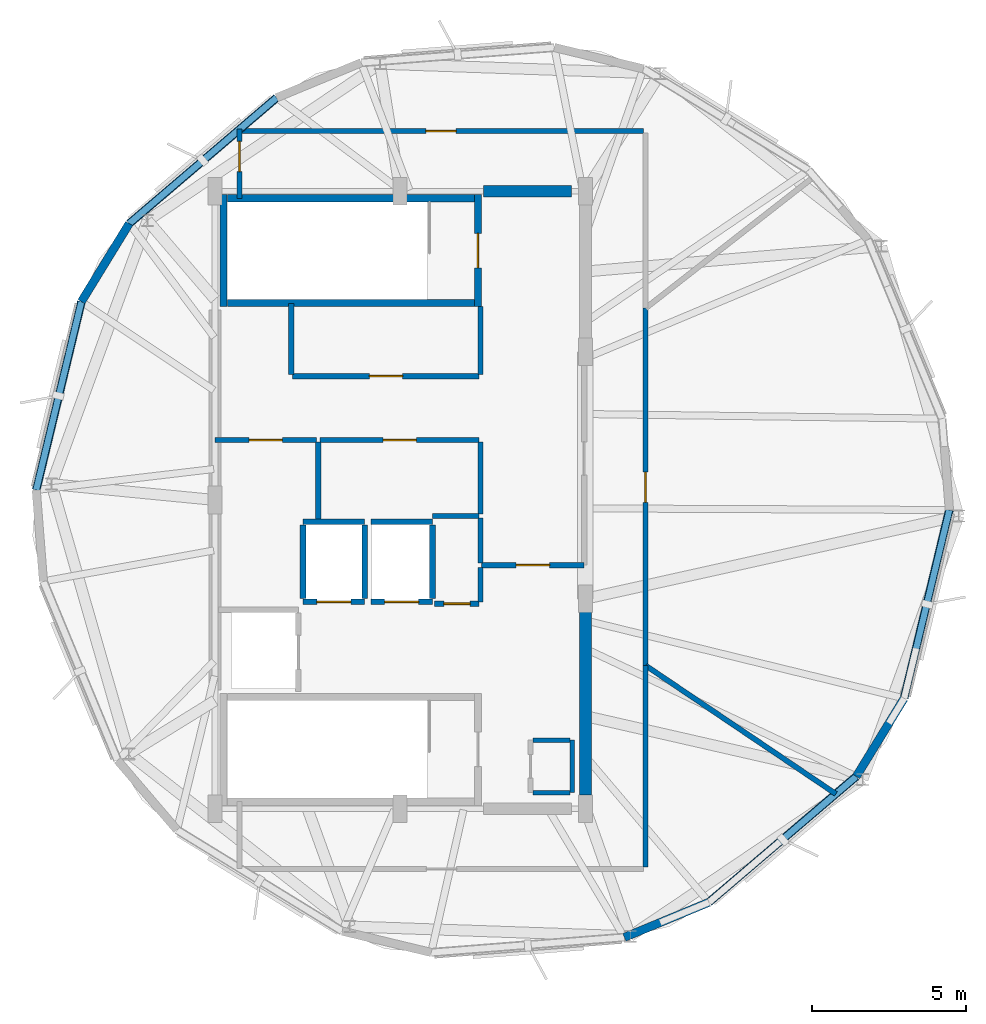
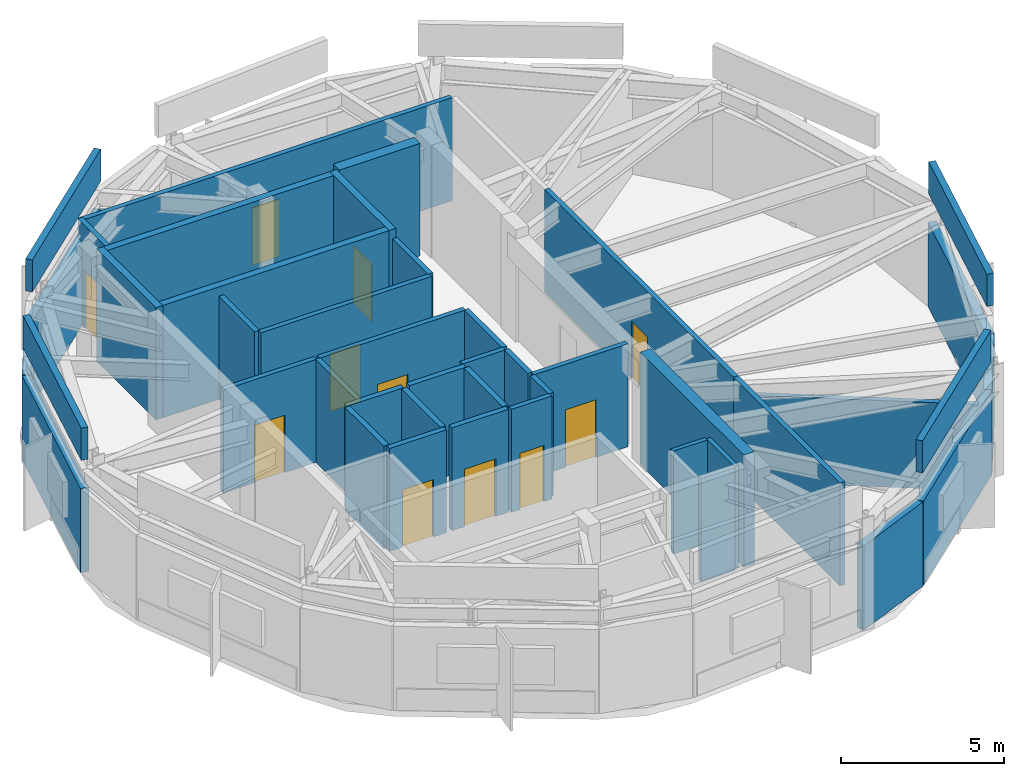
# One storey, part 3 of 5: 44 walls, 11 doors, 11 openings.
"""IFC4 building model written with IfcOpenShell, lengths in metres."""

from ifc_helpers import new_model, si_unit, direction, frame, frame_2d, origin, place, context, subcontext, project, spatial, rectangle, extrude, material, layer, layer_set, type_object, element, fill, save


model = new_model("IFC4")

# Units and contexts
model_context = context("Model", 3, precision=1e-05, world=origin(), true_north=direction((0.0, 1.0)))
body_context = subcontext(model_context, "Body", "Model", "MODEL_VIEW")
ifc_project = project(units=[si_unit("LENGTHUNIT", "METRE"), si_unit("AREAUNIT", "SQUARE_METRE"), si_unit("VOLUMEUNIT", "CUBIC_METRE"), si_unit("PLANEANGLEUNIT", "RADIAN"), si_unit("MASSUNIT", "GRAM", prefix="KILO")], contexts=[model_context])

# Site, building, storey
site_placement = place(None, origin())
site = spatial("IfcSite", under=ifc_project, at=site_placement, CompositionType="ELEMENT")
building_placement = place(site_placement, origin())
building = spatial("IfcBuilding", under=site, at=building_placement, Name="Soratama Intermodal Tower", CompositionType="ELEMENT")
storey_placement = place(building_placement, frame((0.0, 0.0, 318.25)))
storey = spatial("IfcBuildingStorey", under=building, at=storey_placement, Name="L80", CompositionType="ELEMENT", Elevation=318.25)

# Walls
ifc_material_1 = material(Name="Concrete f'c 42 MPa", Category="concrete")
ifc_layer_1 = layer(ifc_material_1, 0.27001953125)
ifc_layer_set_1 = layer_set([ifc_layer_1], Name="Concrete f'c 42 MPa")
wall_type_1 = type_object("IfcWallType", Name="EW-CRN-270", PredefinedType="SOLIDWALL", material=ifc_layer_set_1)
wall_1_placement = place(storey_placement, frame((29.82568359375, 33.954833984375, 0.0), z_axis=(0.0, 0.0, 1.0), x_axis=(-0.522461696512, -0.852662756122, 0.0)))
element("IfcWall", 1, at=wall_1_placement, inside=storey, type_object=wall_type_1, Name="L80 Corner Closure Wall 02", PredefinedType="SOLIDWALL", context=body_context, shape_type="SweptSolid", body=[
    extrude(rectangle(XDim=2.96630859375, YDim=0.27001953125, at=frame_2d((1.483154296875, 0.0))), origin(), (0.0, 0.0, 1.0), 3.14990234375),
])
wall_2_placement = place(storey_placement, frame((34.597412109375, 38.030029296875, 0.0), z_axis=(0.0, 0.0, 1.0), x_axis=(-0.7604253134, -0.649425394284, 0.0)))
element("IfcWall", 2, at=wall_2_placement, inside=storey, type_object=wall_type_1, Name="L80 Plant Wall F02", PredefinedType="SOLIDWALL", context=body_context, shape_type="SweptSolid", body=[
    extrude(rectangle(XDim=6.275146484375, YDim=0.27001953125, at=frame_2d((3.1376953125, 0.0))), origin(), (0.0, 0.0, 1.0), 3.14990234375),
])
wall_3_placement = place(storey_placement, frame((28.27587890625, 31.425537109375, 0.0), z_axis=(0.0, 0.0, 1.0), x_axis=(-0.233480371796, -0.972361515068, 0.0)))
element("IfcWall", 3, at=wall_3_placement, inside=storey, type_object=wall_type_1, Name="L80 Plant Wall F03", PredefinedType="SOLIDWALL", context=body_context, shape_type="SweptSolid", body=[
    extrude(rectangle(XDim=6.27490234375, YDim=0.27001953125, at=frame_2d((3.137451171875, 0.0))), origin(), (0.0, 0.0, 1.0), 3.14990234375),
])
for number, where, z_axis, x_axis, name in (
    (4, (45.862060546875, 10.834716796875, 0.0), (0.0, 0.0, 1.0), (0.923878410862, 0.382686140255, 0.0), "L80 Corner Closure Wall 06"),
    (5, (53.374267578125, 16.045166015625, 0.0), (0.0, 0.0, 1.0), (0.522521529971, 0.852626090802, 0.0), "L80 Corner Closure Wall 07"),
):
    element("IfcWall", number, at=place(storey_placement, frame(where, z_axis=z_axis, x_axis=x_axis)), inside=storey, type_object=wall_type_1, Name=name, PredefinedType="SOLIDWALL", context=body_context, shape_type="SweptSolid", body=[
        extrude(rectangle(XDim=2.966552734375, YDim=0.27001953125, at=frame_2d((1.4833984375, 0.0))), origin(), (0.0, 0.0, 1.0), 3.14990234375),
    ])
for number, where, z_axis, x_axis, name in (
    (6, (48.602783203125, 11.969970703125, 0.0), (0.0, 0.0, 1.0), (0.760408903773, 0.649444608155, 0.0), "L80 Plant Wall F07"),
    (7, (54.92431640625, 18.574462890625, 0.0), (0.0, 0.0, 1.0), (0.23344358532, 0.972370347385, 0.0), "L80 Plant Wall F08"),
):
    element("IfcWall", number, at=place(storey_placement, frame(where, z_axis=z_axis, x_axis=x_axis)), inside=storey, type_object=wall_type_1, Name=name, PredefinedType="SOLIDWALL", context=body_context, shape_type="SweptSolid", body=[
        extrude(rectangle(XDim=6.27490234375, YDim=0.27001953125, at=frame_2d((3.137451171875, 0.0))), origin(), (0.0, 0.0, 1.0), 3.14990234375),
    ])
ifc_material_2 = material(Name="Precast concrete f'c 40 MPa", Category="concrete")
ifc_layer_2 = layer(ifc_material_2, 0.219970703125)
ifc_layer_set_2 = layer_set([ifc_layer_2], Name="Precast concrete f'c 40 MPa")
wall_type_2 = type_object("IfcWallType", Name="EW-PARAPET-220", PredefinedType="PARAPET", material=ifc_layer_set_2)
wall_4_placement = place(storey_placement, frame((34.597412109375, 38.030029296875, 4.199951171875), z_axis=(0.0, 0.0, 1.0), x_axis=(-0.7604253134, -0.649425394284, 0.0)))
element("IfcWall", 8, at=wall_4_placement, inside=storey, type_object=wall_type_2, Name="L80 Crown Parapet 02", PredefinedType="PARAPET", context=body_context, shape_type="SweptSolid", body=[
    extrude(rectangle(XDim=6.275146484375, YDim=0.219970703125, at=frame_2d((3.1376953125, 0.0))), origin(), (0.0, 0.0, 1.0), 1.199951171875),
])
for number, where, z_axis, x_axis, name in (
    (9, (28.27587890625, 31.425537109375, 4.199951171875), (0.0, 0.0, 1.0), (-0.233480371796, -0.972361515068, 0.0), "L80 Crown Parapet 03"),
    (10, (48.602783203125, 11.969970703125, 4.199951171875), (0.0, 0.0, 1.0), (0.760408903773, 0.649444608155, 0.0), "L80 Crown Parapet 07"),
    (11, (54.92431640625, 18.574462890625, 4.199951171875), (0.0, 0.0, 1.0), (0.23344358532, 0.972370347385, 0.0), "L80 Crown Parapet 08"),
):
    element("IfcWall", number, at=place(storey_placement, frame(where, z_axis=z_axis, x_axis=x_axis)), inside=storey, type_object=wall_type_2, Name=name, PredefinedType="PARAPET", context=body_context, shape_type="SweptSolid", body=[
        extrude(rectangle(XDim=6.27490234375, YDim=0.219970703125, at=frame_2d((3.137451171875, 0.0))), origin(), (0.0, 0.0, 1.0), 1.199951171875),
    ])
ifc_material_3 = material(Name="Fire-rated gypsum stud partition", Category="concrete")
ifc_layer_3 = layer(ifc_material_3, 0.14990234375)
ifc_layer_set_3 = layer_set([ifc_layer_3], Name="Fire-rated gypsum stud partition")
wall_type_3 = type_object("IfcWallType", Name="IW-PART-R150", PredefinedType="PARTITIONING", material=ifc_layer_set_3)
for number, where, z_axis, x_axis, name in (
    (12, (42.89990234375, 15.52001953125, 0.0), (0.0, 0.0, 1.0), (1.0, 0.0, 0.0), "L80 Riser Wall S"),
    (13, (42.89990234375, 17.219970703125, 0.0), (0.0, 0.0, 1.0), (1.0, 0.0, 0.0), "L80 Riser Wall N"),
):
    element("IfcWall", number, at=place(storey_placement, frame(where, z_axis=z_axis, x_axis=x_axis)), inside=storey, type_object=wall_type_3, Name=name, PredefinedType="PARTITIONING", context=body_context, shape_type="SweptSolid", body=[
        extrude(rectangle(XDim=1.2001953125, YDim=0.14990234375, at=frame_2d((0.60009765625, 0.0))), origin(), (0.0, 0.0, 1.0), 3.85009765625),
    ])
wall_5_placement = place(storey_placement, frame((44.179931640625, 15.52001953125, 0.0), z_axis=(0.0, 0.0, 1.0), x_axis=(0.0, 1.0, 0.0)))
element("IfcWall", 14, at=wall_5_placement, inside=storey, type_object=wall_type_3, Name="L80 Riser Wall E", PredefinedType="PARTITIONING", context=body_context, shape_type="SweptSolid", body=[
    extrude(rectangle(XDim=1.699951171875, YDim=0.14990234375, at=frame_2d((0.85009765625, 0.0))), origin(), (0.0, 0.0, 1.0), 3.85009765625),
])

# Wall, opening, door
ifc_material_4 = material(Name="Fire-rated gypsum stud partition", Category="concrete")
ifc_layer_4 = layer(ifc_material_4, 0.169921875)
ifc_layer_set_4 = layer_set([ifc_layer_4], Name="Fire-rated gypsum stud partition")
wall_type_4 = type_object("IfcWallType", Name="IW-PART-R170", PredefinedType="PARTITIONING", material=ifc_layer_set_4)
wall_6_placement = place(storey_placement, frame((33.3330078125, 36.949951171875, 0.0), z_axis=(0.0, 0.0, 1.0), x_axis=(1.0, 0.0, 0.0)))
wall_6 = element("IfcWall", 15, at=wall_6_placement, inside=storey, type_object=wall_type_4, Name="L80 Partition W-L80-TP001", PredefinedType="PARTITIONING", context=body_context, shape_type="SweptSolid", body=[
    extrude(rectangle(XDim=13.14697265625, YDim=0.169921875, at=frame_2d((6.573486328125, 0.0))), origin(), (0.0, 0.0, 1.0), 3.85009765625),
])
opening_1_placement = place(wall_6_placement, frame((6.097900390625, 0.0, 0.0)))
opening_1 = element("IfcOpeningElement", 16, at=opening_1_placement, cuts=wall_6, Name="Opening ID-5", PredefinedType="OPENING", context=body_context, shape_type="SweptSolid", body=[
    extrude(rectangle(XDim=0.97998046875, YDim=2.14990234375, at=frame_2d((0.489990234375, 1.074951171875))), frame((0.0, 0.094970703125, 0.0), z_axis=(0.0, -1.0, 0.0), x_axis=(1.0, 0.0, 0.0)), (0.0, 0.0, 1.0), 0.18994140625),
])
ifc_material_5 = material(Name="Solid hardwood acoustic door", Category="wood")
door_type_1 = type_object("IfcDoorType", Name="DR-OFF-980", OperationType="NOTDEFINED", PredefinedType="DOOR", material=ifc_material_5)
door_1_placement = place(opening_1_placement, origin())
door_1 = element("IfcDoor", 17, at=door_1_placement, inside=storey, type_object=door_type_1, Name="L80 Door D-L80-TP001", OperationType="SINGLE_SWING_RIGHT", OverallHeight=2.14990234375, OverallWidth=0.97998046875, PredefinedType="DOOR", context=body_context, shape_type="SweptSolid", body=[
    extrude(rectangle(XDim=0.97998046875, YDim=2.14990234375, at=frame_2d((0.489990234375, 1.074951171875))), frame((0.0, 0.02490234375, 0.0), z_axis=(0.0, -1.0, 0.0), x_axis=(1.0, 0.0, 0.0)), (0.0, 0.0, 1.0), 0.050048828125),
])
fill(opening_1, door_1)

wall_7_placement = place(storey_placement, frame((46.550048828125, 31.2119140625, 0.0), z_axis=(0.0, 0.0, 1.0), x_axis=(0.0, -1.0, 0.0)))
wall_7 = element("IfcWall", 18, at=wall_7_placement, inside=storey, type_object=wall_type_4, Name="L80 Partition W-L80-TP003", PredefinedType="PARTITIONING", context=body_context, shape_type="SweptSolid", body=[
    extrude(rectangle(XDim=11.573974609375, YDim=0.169921875, at=frame_2d((5.787109375, 0.0))), origin(), (0.0, 0.0, 1.0), 3.85009765625),
])
opening_2_placement = place(wall_7_placement, frame((5.31201171875, 0.0, 0.0)))
opening_2 = element("IfcOpeningElement", 19, at=opening_2_placement, cuts=wall_7, Name="Opening ID-5", PredefinedType="OPENING", context=body_context, shape_type="SweptSolid", body=[
    extrude(rectangle(XDim=0.97998046875, YDim=2.14990234375, at=frame_2d((0.489990234375, 1.074951171875))), frame((0.0, 0.094970703125, 0.0), z_axis=(0.0, -1.0, 0.0), x_axis=(1.0, 0.0, 0.0)), (0.0, 0.0, 1.0), 0.18994140625),
])
door_2_placement = place(opening_2_placement, origin())
door_2 = element("IfcDoor", 20, at=door_2_placement, inside=storey, type_object=door_type_1, Name="L80 Door D-L80-TP003", OperationType="SINGLE_SWING_RIGHT", OverallHeight=2.14990234375, OverallWidth=0.97998046875, PredefinedType="DOOR", context=body_context, shape_type="SweptSolid", body=[
    extrude(rectangle(XDim=0.97998046875, YDim=2.14990234375, at=frame_2d((0.489990234375, 1.074951171875))), frame((0.0, 0.02490234375, 0.0), z_axis=(0.0, -1.0, 0.0), x_axis=(1.0, 0.0, 0.0)), (0.0, 0.0, 1.0), 0.050048828125),
])
fill(opening_2, door_2)

# Walls
wall_8_placement = place(storey_placement, frame((52.712890625, 15.47998046875, 0.0), z_axis=(0.0, 0.0, 1.0), x_axis=(-0.828970861731, 0.559291793612, 0.0)))
element("IfcWall", 21, at=wall_8_placement, inside=storey, type_object=wall_type_4, Name="L80 Partition W-L80-TP004", PredefinedType="PARTITIONING", context=body_context, shape_type="SweptSolid", body=[
    extrude(rectangle(XDim=7.434326171875, YDim=0.169921875, at=frame_2d((3.71728515625, 0.0))), origin(), (0.0, 0.0, 1.0), 3.22802734375),
])
wall_9_placement = place(storey_placement, frame((46.550048828125, 19.637939453125, 0.0), z_axis=(0.0, 0.0, 1.0), x_axis=(0.0, -1.0, 0.0)))
element("IfcWall", 22, at=wall_9_placement, inside=storey, type_object=wall_type_4, Name="L80 Partition W-L80-TP007", PredefinedType="PARTITIONING", context=body_context, shape_type="SweptSolid", body=[
    extrude(rectangle(XDim=6.517822265625, YDim=0.169921875, at=frame_2d((3.2587890625, 0.0))), origin(), (0.0, 0.0, 1.0), 3.85009765625),
])

# Wall, opening, door
wall_10_placement = place(storey_placement, frame((35.1201171875, 29.010009765625, 0.0), z_axis=(0.0, 0.0, 1.0), x_axis=(1.0, 0.0, 0.0)))
wall_10 = element("IfcWall", 23, at=wall_10_placement, inside=storey, type_object=wall_type_4, Name="L80 Partition W-L80-TP008", PredefinedType="PARTITIONING", context=body_context, shape_type="SweptSolid", body=[
    extrude(rectangle(XDim=6.039794921875, YDim=0.169921875, at=frame_2d((3.02001953125, 0.0))), origin(), (0.0, 0.0, 1.0), 3.85009765625),
])
opening_3_placement = place(wall_10_placement, frame((2.47998046875, 0.0, 0.0)))
opening_3 = element("IfcOpeningElement", 24, at=opening_3_placement, cuts=wall_10, Name="Opening ID-1", PredefinedType="OPENING", context=body_context, shape_type="SweptSolid", body=[
    extrude(rectangle(XDim=1.080078125, YDim=2.14990234375, at=frame_2d((0.5400390625, 1.074951171875))), frame((0.0, 0.094970703125, 0.0), z_axis=(0.0, -1.0, 0.0), x_axis=(1.0, 0.0, 0.0)), (0.0, 0.0, 1.0), 0.18994140625),
])
ifc_material_6 = material(Name="Solid hardwood acoustic door", Category="wood")
door_type_2 = type_object("IfcDoorType", Name="DR-LOB-FD60", OperationType="NOTDEFINED", PredefinedType="DOOR", material=ifc_material_6)
door_3_placement = place(opening_3_placement, origin())
door_3 = element("IfcDoor", 25, at=door_3_placement, inside=storey, type_object=door_type_2, Name="L80 Door D-L80-TP005", OperationType="SINGLE_SWING_RIGHT", OverallHeight=2.14990234375, OverallWidth=1.080078125, PredefinedType="DOOR", context=body_context, shape_type="SweptSolid", body=[
    extrude(rectangle(XDim=1.080078125, YDim=2.14990234375, at=frame_2d((0.5400390625, 1.074951171875))), frame((0.0, 0.02490234375, 0.0), z_axis=(0.0, -1.0, 0.0), x_axis=(1.0, 0.0, 0.0)), (0.0, 0.0, 1.0), 0.050048828125),
])
fill(opening_3, door_3)

wall_11_placement = place(storey_placement, frame((41.159912109375, 26.93994140625, 0.0), z_axis=(0.0, 0.0, 1.0), x_axis=(-1.0, 0.0, 0.0)))
wall_11 = element("IfcWall", 26, at=wall_11_placement, inside=storey, type_object=wall_type_4, Name="L80 Partition W-L80-TP010", PredefinedType="PARTITIONING", context=body_context, shape_type="SweptSolid", body=[
    extrude(rectangle(XDim=5.14990234375, YDim=0.169921875, at=frame_2d((2.574951171875, 0.0))), origin(), (0.0, 0.0, 1.0), 3.85009765625),
])
opening_4_placement = place(wall_11_placement, frame((2.034912109375, 0.0, 0.0)))
opening_4 = element("IfcOpeningElement", 27, at=opening_4_placement, cuts=wall_11, Name="Opening ID-1", PredefinedType="OPENING", context=body_context, shape_type="SweptSolid", body=[
    extrude(rectangle(XDim=1.080078125, YDim=2.14990234375, at=frame_2d((0.5400390625, 1.074951171875))), frame((0.0, 0.094970703125, 0.0), z_axis=(0.0, -1.0, 0.0), x_axis=(1.0, 0.0, 0.0)), (0.0, 0.0, 1.0), 0.18994140625),
])
door_4_placement = place(opening_4_placement, origin())
door_4 = element("IfcDoor", 28, at=door_4_placement, inside=storey, type_object=door_type_2, Name="L80 Door D-L80-TP006", OperationType="SINGLE_SWING_LEFT", OverallHeight=2.14990234375, OverallWidth=1.080078125, PredefinedType="DOOR", context=body_context, shape_type="SweptSolid", body=[
    extrude(rectangle(XDim=1.080078125, YDim=2.14990234375, at=frame_2d((0.5400390625, 1.074951171875))), frame((0.0, 0.02490234375, 0.0), z_axis=(0.0, -1.0, 0.0), x_axis=(1.0, 0.0, 0.0)), (0.0, 0.0, 1.0), 0.050048828125),
])
fill(opening_4, door_4)

wall_12_placement = place(storey_placement, frame((41.239990234375, 22.889892578125, 0.0), z_axis=(0.0, 0.0, 1.0), x_axis=(1.0, 0.0, 0.0)))
wall_12 = element("IfcWall", 29, at=wall_12_placement, inside=storey, type_object=wall_type_4, Name="L80 Partition W-L80-TP011", PredefinedType="PARTITIONING", context=body_context, shape_type="SweptSolid", body=[
    extrude(rectangle(XDim=3.320068359375, YDim=0.169921875, at=frame_2d((1.66015625, 0.0))), origin(), (0.0, 0.0, 1.0), 3.85009765625),
])
opening_5_placement = place(wall_12_placement, frame((1.1201171875, 0.0, 0.0)))
opening_5 = element("IfcOpeningElement", 30, at=opening_5_placement, cuts=wall_12, Name="Opening ID-0", PredefinedType="OPENING", context=body_context, shape_type="SweptSolid", body=[
    extrude(rectangle(XDim=1.080078125, YDim=2.14990234375, at=frame_2d((0.5400390625, 1.074951171875))), frame((0.0, 0.094970703125, 0.0), z_axis=(0.0, -1.0, 0.0), x_axis=(1.0, 0.0, 0.0)), (0.0, 0.0, 1.0), 0.18994140625),
])
ifc_material_7 = material(Name="Solid hardwood acoustic door", Category="wood")
door_type_3 = type_object("IfcDoorType", Name="DR-LOB-FD90", OperationType="NOTDEFINED", PredefinedType="DOOR", material=ifc_material_7)
door_5_placement = place(opening_5_placement, origin())
door_5 = element("IfcDoor", 31, at=door_5_placement, inside=storey, type_object=door_type_3, Name="L80 Door D-L80-TP007", OperationType="SINGLE_SWING_RIGHT", OverallHeight=2.14990234375, OverallWidth=1.080078125, PredefinedType="DOOR", context=body_context, shape_type="SweptSolid", body=[
    extrude(rectangle(XDim=1.080078125, YDim=2.14990234375, at=frame_2d((0.5400390625, 1.074951171875))), frame((0.0, 0.02490234375, 0.0), z_axis=(0.0, -1.0, 0.0), x_axis=(1.0, 0.0, 0.0)), (0.0, 0.0, 1.0), 0.050048828125),
])
fill(opening_5, door_5)

wall_13_placement = place(storey_placement, frame((35.889892578125, 26.93994140625, 0.0), z_axis=(0.0, 0.0, 1.0), x_axis=(-1.0, 0.0, 0.0)))
wall_13 = element("IfcWall", 32, at=wall_13_placement, inside=storey, type_object=wall_type_4, Name="L80 Partition W-L80-TP012", PredefinedType="PARTITIONING", context=body_context, shape_type="SweptSolid", body=[
    extrude(rectangle(XDim=3.289794921875, YDim=0.169921875, at=frame_2d((1.64501953125, 0.0))), origin(), (0.0, 0.0, 1.0), 3.85009765625),
])
opening_6_placement = place(wall_13_placement, frame((1.10498046875, 0.0, 0.0)))
opening_6 = element("IfcOpeningElement", 33, at=opening_6_placement, cuts=wall_13, Name="Opening ID-1", PredefinedType="OPENING", context=body_context, shape_type="SweptSolid", body=[
    extrude(rectangle(XDim=1.080078125, YDim=2.14990234375, at=frame_2d((0.5400390625, 1.074951171875))), frame((0.0, 0.094970703125, 0.0), z_axis=(0.0, -1.0, 0.0), x_axis=(1.0, 0.0, 0.0)), (0.0, 0.0, 1.0), 0.18994140625),
])
door_6_placement = place(opening_6_placement, origin())
door_6 = element("IfcDoor", 34, at=door_6_placement, inside=storey, type_object=door_type_2, Name="L80 Door D-L80-TP008", OperationType="SINGLE_SWING_LEFT", OverallHeight=2.14990234375, OverallWidth=1.080078125, PredefinedType="DOOR", context=body_context, shape_type="SweptSolid", body=[
    extrude(rectangle(XDim=1.080078125, YDim=2.14990234375, at=frame_2d((0.5400390625, 1.074951171875))), frame((0.0, 0.02490234375, 0.0), z_axis=(0.0, -1.0, 0.0), x_axis=(1.0, 0.0, 0.0)), (0.0, 0.0, 1.0), 0.050048828125),
])
fill(opening_6, door_6)

# Walls
wall_14_placement = place(storey_placement, frame((35.949951171875, 26.8798828125, 0.0), z_axis=(0.0, 0.0, 1.0), x_axis=(0.0, -1.0, 0.0)))
element("IfcWall", 35, at=wall_14_placement, inside=storey, type_object=wall_type_4, Name="L80 Partition W-L80-TP013", PredefinedType="PARTITIONING", context=body_context, shape_type="SweptSolid", body=[
    extrude(rectangle(XDim=2.579833984375, YDim=0.169921875, at=frame_2d((1.2900390625, 0.0))), origin(), (0.0, 0.0, 1.0), 3.85009765625),
])
wall_15_placement = place(storey_placement, frame((41.199951171875, 24.550048828125, 0.0), z_axis=(0.0, 0.0, 1.0), x_axis=(0.0, 1.0, 0.0)))
element("IfcWall", 36, at=wall_15_placement, inside=storey, type_object=wall_type_4, Name="L80 Partition W-L80-TP014", PredefinedType="PARTITIONING", context=body_context, shape_type="SweptSolid", body=[
    extrude(rectangle(XDim=2.329833984375, YDim=0.169921875, at=frame_2d((1.1650390625, 0.0))), origin(), (0.0, 0.0, 1.0), 3.85009765625),
])
wall_16_placement = place(storey_placement, frame((35.070068359375, 31.360107421875, 0.0), z_axis=(0.0, 0.0, 1.0), x_axis=(0.0, -1.0, 0.0)))
element("IfcWall", 37, at=wall_16_placement, inside=storey, type_object=wall_type_4, Name="L80 Partition W-L80-TP015", PredefinedType="PARTITIONING", context=body_context, shape_type="SweptSolid", body=[
    extrude(rectangle(XDim=2.2900390625, YDim=0.169921875, at=frame_2d((1.14501953125, 0.0))), origin(), (0.0, 0.0, 1.0), 3.85009765625),
])

# Wall, opening, door
wall_17_placement = place(storey_placement, frame((33.39990234375, 34.77001953125, 0.0), z_axis=(0.0, 0.0, 1.0), x_axis=(0.0, 1.0, 0.0)))
wall_17 = element("IfcWall", 38, at=wall_17_placement, inside=storey, type_object=wall_type_4, Name="L80 Partition W-L80-TP016", PredefinedType="PARTITIONING", context=body_context, shape_type="SweptSolid", body=[
    extrude(rectangle(XDim=2.238037109375, YDim=0.169921875, at=frame_2d((1.119140625, 0.0))), origin(), (0.0, 0.0, 1.0), 3.85009765625),
])
opening_7_placement = place(wall_17_placement, frame((0.867919921875, 0.0, 0.0)))
opening_7 = element("IfcOpeningElement", 39, at=opening_7_placement, cuts=wall_17, Name="Opening ID-5", PredefinedType="OPENING", context=body_context, shape_type="SweptSolid", body=[
    extrude(rectangle(XDim=0.97998046875, YDim=2.14990234375, at=frame_2d((0.489990234375, 1.074951171875))), frame((0.0, 0.094970703125, 0.0), z_axis=(0.0, -1.0, 0.0), x_axis=(1.0, 0.0, 0.0)), (0.0, 0.0, 1.0), 0.18994140625),
])
door_7_placement = place(opening_7_placement, origin())
door_7 = element("IfcDoor", 40, at=door_7_placement, inside=storey, type_object=door_type_1, Name="L80 Door D-L80-TP009", OperationType="SINGLE_SWING_RIGHT", OverallHeight=2.14990234375, OverallWidth=0.97998046875, PredefinedType="DOOR", context=body_context, shape_type="SweptSolid", body=[
    extrude(rectangle(XDim=0.97998046875, YDim=2.14990234375, at=frame_2d((0.489990234375, 1.074951171875))), frame((0.0, 0.02490234375, 0.0), z_axis=(0.0, -1.0, 0.0), x_axis=(1.0, 0.0, 0.0)), (0.0, 0.0, 1.0), 0.050048828125),
])
fill(opening_7, door_7)

# Walls
wall_18_placement = place(storey_placement, frame((41.199951171875, 29.070068359375, 0.0), z_axis=(0.0, 0.0, 1.0), x_axis=(0.0, 1.0, 0.0)))
element("IfcWall", 41, at=wall_18_placement, inside=storey, type_object=wall_type_4, Name="L80 Partition W-L80-TP017", PredefinedType="PARTITIONING", context=body_context, shape_type="SweptSolid", body=[
    extrude(rectangle(XDim=2.18994140625, YDim=0.169921875, at=frame_2d((1.094970703125, 0.0))), origin(), (0.0, 0.0, 1.0), 3.85009765625),
])
wall_19_placement = place(storey_placement, frame((39.64990234375, 24.485107421875, 0.0), z_axis=(0.0, 0.0, 1.0), x_axis=(1.0, 0.0, 0.0)))
element("IfcWall", 42, at=wall_19_placement, inside=storey, type_object=wall_type_4, Name="L80 Partition W-L80-TP019", PredefinedType="PARTITIONING", context=body_context, shape_type="SweptSolid", body=[
    extrude(rectangle(XDim=1.510009765625, YDim=0.169921875, at=frame_2d((0.7548828125, 0.0))), origin(), (0.0, 0.0, 1.0), 3.85009765625),
])
wall_20_placement = place(storey_placement, frame((41.199951171875, 22.9599609375, 0.0), z_axis=(0.0, 0.0, 1.0), x_axis=(0.0, 1.0, 0.0)))
element("IfcWall", 43, at=wall_20_placement, inside=storey, type_object=wall_type_4, Name="L80 Partition W-L80-TP020", PredefinedType="PARTITIONING", context=body_context, shape_type="SweptSolid", body=[
    extrude(rectangle(XDim=1.4599609375, YDim=0.169921875, at=frame_2d((0.72998046875, 0.0))), origin(), (0.0, 0.0, 1.0), 3.85009765625),
])

# Wall, opening, door
wall_21_placement = place(storey_placement, frame((39.719970703125, 21.639892578125, 0.0), z_axis=(0.0, 0.0, 1.0), x_axis=(1.0, 0.0, 0.0)))
wall_21 = element("IfcWall", 44, at=wall_21_placement, inside=storey, type_object=wall_type_4, Name="L80 Partition W-L80-TP021", PredefinedType="PARTITIONING", context=body_context, shape_type="SweptSolid", body=[
    extrude(rectangle(XDim=1.43994140625, YDim=0.169921875, at=frame_2d((0.719970703125, 0.0))), origin(), (0.0, 0.0, 1.0), 3.85009765625),
])
opening_8_placement = place(wall_21_placement, frame((0.294921875, 0.0, 0.0)))
opening_8 = element("IfcOpeningElement", 45, at=opening_8_placement, cuts=wall_21, Name="Opening ID-4", PredefinedType="OPENING", context=body_context, shape_type="SweptSolid", body=[
    extrude(rectangle(XDim=0.85009765625, YDim=2.10009765625, at=frame_2d((0.425048828125, 1.050048828125))), frame((0.0, 0.094970703125, 0.0), z_axis=(0.0, -1.0, 0.0), x_axis=(1.0, 0.0, 0.0)), (0.0, 0.0, 1.0), 0.18994140625),
])
ifc_material_8 = material(Name="Solid hardwood acoustic door", Category="wood")
door_type_4 = type_object("IfcDoorType", Name="DR-BATH-850", OperationType="NOTDEFINED", PredefinedType="DOOR", material=ifc_material_8)
door_8_placement = place(opening_8_placement, origin())
door_8 = element("IfcDoor", 46, at=door_8_placement, inside=storey, type_object=door_type_4, Name="L80 Door D-L80-TP010", OperationType="SINGLE_SWING_LEFT", OverallHeight=2.10009765625, OverallWidth=0.85009765625, PredefinedType="DOOR", context=body_context, shape_type="SweptSolid", body=[
    extrude(rectangle(XDim=0.85009765625, YDim=2.10009765625, at=frame_2d((0.425048828125, 1.050048828125))), frame((0.0, 0.02490234375, 0.0), z_axis=(0.0, -1.0, 0.0), x_axis=(1.0, 0.0, 0.0)), (0.0, 0.0, 1.0), 0.050048828125),
])
fill(opening_8, door_8)

# Wall
wall_22_placement = place(storey_placement, frame((41.199951171875, 21.699951171875, 0.0), z_axis=(0.0, 0.0, 1.0), x_axis=(0.0, 1.0, 0.0)))
element("IfcWall", 47, at=wall_22_placement, inside=storey, type_object=wall_type_4, Name="L80 Partition W-L80-TP022", PredefinedType="PARTITIONING", context=body_context, shape_type="SweptSolid", body=[
    extrude(rectangle(XDim=1.1201171875, YDim=0.169921875, at=frame_2d((0.56005859375, 0.0))), origin(), (0.0, 0.0, 1.0), 3.85009765625),
])

# Wall, opening, door
ifc_material_9 = material(Name="Concrete f'c 42 MPa", Category="concrete")
ifc_layer_5 = layer(ifc_material_9, 0.18505859375)
ifc_layer_set_5 = layer_set([ifc_layer_5], Name="Concrete f'c 42 MPa")
wall_type_5 = type_object("IfcWallType", Name="IW-SHAFT-185", PredefinedType="SOLIDWALL", material=ifc_layer_set_5)
wall_23_placement = place(storey_placement, frame((35.449951171875, 21.699951171875, 0.0), z_axis=(0.0, 0.0, 1.0), x_axis=(1.0, 0.0, 0.0)))
wall_23 = element("IfcWall", 48, at=wall_23_placement, inside=storey, type_object=wall_type_5, Name="L80 FFL-1 Hoistway Wall S", PredefinedType="SOLIDWALL", context=body_context, shape_type="SweptSolid", body=[
    extrude(rectangle(XDim=2.0, YDim=0.18505859375, at=frame_2d((1.0, 0.0))), origin(), (0.0, 0.0, 1.0), 3.85009765625),
])
opening_9_placement = place(wall_23_placement, frame((0.449951171875, 0.0, 0.0)))
opening_9 = element("IfcOpeningElement", 49, at=opening_9_placement, cuts=wall_23, Name="Opening LD-1", PredefinedType="OPENING", context=body_context, shape_type="SweptSolid", body=[
    extrude(rectangle(XDim=1.10009765625, YDim=2.14990234375, at=frame_2d((0.550048828125, 1.074951171875))), frame((0.0, 0.1025390625, 0.0), z_axis=(0.0, -1.0, 0.0), x_axis=(1.0, 0.0, 0.0)), (0.0, 0.0, 1.0), 0.205078125),
])
ifc_material_10 = material(Name="Steel fire door", Category="steel")
door_type_5 = type_object("IfcDoorType", Name="DR-LIFT-SLIDE", OperationType="NOTDEFINED", PredefinedType="DOOR", material=ifc_material_10)
door_9_placement = place(opening_9_placement, origin())
door_9 = element("IfcDoor", 50, at=door_9_placement, inside=storey, type_object=door_type_5, Name="L80 FFL-1 Sliding Landing Door", OperationType="SLIDING_TO_LEFT", OverallHeight=2.14990234375, OverallWidth=1.10009765625, PredefinedType="DOOR", context=body_context, shape_type="SweptSolid", body=[
    extrude(rectangle(XDim=1.10009765625, YDim=2.14990234375, at=frame_2d((0.550048828125, 1.074951171875))), frame((0.0, 0.02490234375, 0.0), z_axis=(0.0, -1.0, 0.0), x_axis=(1.0, 0.0, 0.0)), (0.0, 0.0, 1.0), 0.050048828125),
])
fill(opening_9, door_9)

# Walls
wall_24_placement = place(storey_placement, frame((35.449951171875, 24.300048828125, 0.0), z_axis=(0.0, 0.0, 1.0), x_axis=(1.0, 0.0, 0.0)))
element("IfcWall", 51, at=wall_24_placement, inside=storey, type_object=wall_type_5, Name="L80 FFL-1 Hoistway Wall N", PredefinedType="SOLIDWALL", context=body_context, shape_type="SweptSolid", body=[
    extrude(rectangle(XDim=2.0, YDim=0.18505859375, at=frame_2d((1.0, 0.0))), origin(), (0.0, 0.0, 1.0), 3.85009765625),
])
for number, where, z_axis, x_axis, name in (
    (52, (35.449951171875, 21.81005859375, 0.0), (0.0, 0.0, 1.0), (0.0, 1.0, 0.0), "L80 FFL-1 Hoistway Wall W"),
    (53, (37.449951171875, 21.81005859375, 0.0), (0.0, 0.0, 1.0), (0.0, 1.0, 0.0), "L80 FFL-1 Hoistway Wall E"),
):
    element("IfcWall", number, at=place(storey_placement, frame(where, z_axis=z_axis, x_axis=x_axis)), inside=storey, type_object=wall_type_5, Name=name, PredefinedType="SOLIDWALL", context=body_context, shape_type="SweptSolid", body=[
        extrude(rectangle(XDim=2.3798828125, YDim=0.18505859375, at=frame_2d((1.18994140625, 0.0))), origin(), (0.0, 0.0, 1.0), 3.85009765625),
    ])

# Wall, opening, door
wall_25_placement = place(storey_placement, frame((37.64990234375, 21.699951171875, 0.0), z_axis=(0.0, 0.0, 1.0), x_axis=(1.0, 0.0, 0.0)))
wall_25 = element("IfcWall", 54, at=wall_25_placement, inside=storey, type_object=wall_type_5, Name="L80 FFL-2 Hoistway Wall S", PredefinedType="SOLIDWALL", context=body_context, shape_type="SweptSolid", body=[
    extrude(rectangle(XDim=2.0, YDim=0.18505859375, at=frame_2d((1.0, 0.0))), origin(), (0.0, 0.0, 1.0), 3.85009765625),
])
opening_10_placement = place(wall_25_placement, frame((0.449951171875, 0.0, 0.0)))
opening_10 = element("IfcOpeningElement", 55, at=opening_10_placement, cuts=wall_25, Name="Opening LD-1", PredefinedType="OPENING", context=body_context, shape_type="SweptSolid", body=[
    extrude(rectangle(XDim=1.10009765625, YDim=2.14990234375, at=frame_2d((0.550048828125, 1.074951171875))), frame((0.0, 0.1025390625, 0.0), z_axis=(0.0, -1.0, 0.0), x_axis=(1.0, 0.0, 0.0)), (0.0, 0.0, 1.0), 0.205078125),
])
door_10_placement = place(opening_10_placement, origin())
door_10 = element("IfcDoor", 56, at=door_10_placement, inside=storey, type_object=door_type_5, Name="L80 FFL-2 Sliding Landing Door", OperationType="SLIDING_TO_LEFT", OverallHeight=2.14990234375, OverallWidth=1.10009765625, PredefinedType="DOOR", context=body_context, shape_type="SweptSolid", body=[
    extrude(rectangle(XDim=1.10009765625, YDim=2.14990234375, at=frame_2d((0.550048828125, 1.074951171875))), frame((0.0, 0.02490234375, 0.0), z_axis=(0.0, -1.0, 0.0), x_axis=(1.0, 0.0, 0.0)), (0.0, 0.0, 1.0), 0.050048828125),
])
fill(opening_10, door_10)

# Walls
wall_26_placement = place(storey_placement, frame((37.64990234375, 24.300048828125, 0.0), z_axis=(0.0, 0.0, 1.0), x_axis=(1.0, 0.0, 0.0)))
element("IfcWall", 57, at=wall_26_placement, inside=storey, type_object=wall_type_5, Name="L80 FFL-2 Hoistway Wall N", PredefinedType="SOLIDWALL", context=body_context, shape_type="SweptSolid", body=[
    extrude(rectangle(XDim=2.0, YDim=0.18505859375, at=frame_2d((1.0, 0.0))), origin(), (0.0, 0.0, 1.0), 3.85009765625),
])
wall_27_placement = place(storey_placement, frame((39.64990234375, 21.81005859375, 0.0), z_axis=(0.0, 0.0, 1.0), x_axis=(0.0, 1.0, 0.0)))
element("IfcWall", 58, at=wall_27_placement, inside=storey, type_object=wall_type_5, Name="L80 FFL-2 Hoistway Wall E", PredefinedType="SOLIDWALL", context=body_context, shape_type="SweptSolid", body=[
    extrude(rectangle(XDim=2.3798828125, YDim=0.18505859375, at=frame_2d((1.18994140625, 0.0))), origin(), (0.0, 0.0, 1.0), 3.85009765625),
])
ifc_material_11 = material(Name="Concrete f'c 56 MPa", Category="concrete")
ifc_layer_6 = layer(ifc_material_11, 0.3798828125)
ifc_layer_set_6 = layer_set([ifc_layer_6], Name="Concrete f'c 56 MPa")
wall_type_6 = type_object("IfcWallType", Name="SW-CORE-380", PredefinedType="SHEAR", material=ifc_layer_set_6)
wall_28_placement = place(storey_placement, frame((41.300048828125, 35.0, 0.0), z_axis=(0.0, 0.0, 1.0), x_axis=(1.0, 0.0, 0.0)))
element("IfcWall", 59, at=wall_28_placement, inside=storey, type_object=wall_type_6, Name="L80 Core Shear Wall CW-NE", PredefinedType="SHEAR", context=body_context, shape_type="SweptSolid", body=[
    extrude(rectangle(XDim=2.849853515625, YDim=0.3798828125, at=frame_2d((1.4248046875, 0.0))), origin(), (0.0, 0.0, 1.0), 4.199951171875),
])
wall_29_placement = place(storey_placement, frame((44.60009765625, 15.449951171875, 0.0), z_axis=(0.0, 0.0, 1.0), x_axis=(0.0, 1.0, 0.0)))
element("IfcWall", 60, at=wall_29_placement, inside=storey, type_object=wall_type_6, Name="L80 Core Shear Wall CW-ES", PredefinedType="SHEAR", context=body_context, shape_type="SweptSolid", body=[
    extrude(rectangle(XDim=6.35009765625, YDim=0.3798828125, at=frame_2d((3.175048828125, 0.0))), origin(), (0.0, 0.0, 1.0), 4.199951171875),
])
ifc_material_12 = material(Name="Concrete f'c 56 MPa", Category="concrete")
ifc_layer_7 = layer(ifc_material_12, 0.239990234375)
ifc_layer_set_7 = layer_set([ifc_layer_7], Name="Concrete f'c 56 MPa")
wall_type_7 = type_object("IfcWallType", Name="SW-STAIR-240", PredefinedType="SHEAR", material=ifc_layer_set_7)
wall_30_placement = place(storey_placement, frame((32.8798828125, 31.260009765625, 0.0), z_axis=(0.0, 0.0, 1.0), x_axis=(0.0, 1.0, 0.0)))
element("IfcWall", 61, at=wall_30_placement, inside=storey, type_object=wall_type_7, Name="L80 ST-2 Shaft Shear Wall W", PredefinedType="SHEAR", context=body_context, shape_type="SweptSolid", body=[
    extrude(rectangle(XDim=3.6298828125, YDim=0.239990234375, at=frame_2d((1.81494140625, 0.0))), origin(), (0.0, 0.0, 1.0), 4.199951171875),
])

# Wall, opening, door
wall_31_placement = place(storey_placement, frame((41.1201171875, 31.260009765625, 0.0), z_axis=(0.0, 0.0, 1.0), x_axis=(0.0, 1.0, 0.0)))
wall_31 = element("IfcWall", 62, at=wall_31_placement, inside=storey, type_object=wall_type_7, Name="L80 ST-2 Shaft Shear Wall E", PredefinedType="SHEAR", context=body_context, shape_type="SweptSolid", body=[
    extrude(rectangle(XDim=3.6298828125, YDim=0.239990234375, at=frame_2d((1.81494140625, 0.0))), origin(), (0.0, 0.0, 1.0), 4.199951171875),
])
opening_11_placement = place(wall_31_placement, frame((1.2548828125, 0.0, 0.0)))
opening_11 = element("IfcOpeningElement", 63, at=opening_11_placement, cuts=wall_31, Name="Opening SD-1", PredefinedType="OPENING", context=body_context, shape_type="SweptSolid", body=[
    extrude(rectangle(XDim=1.1201171875, YDim=2.14990234375, at=frame_2d((0.56005859375, 1.074951171875))), frame((0.0, 0.1298828125, 0.0), z_axis=(0.0, -1.0, 0.0), x_axis=(1.0, 0.0, 0.0)), (0.0, 0.0, 1.0), 0.260009765625),
])
ifc_material_13 = material(Name="Steel fire door", Category="steel")
door_type_6 = type_object("IfcDoorType", Name="DR-STAIR-FD90", OperationType="NOTDEFINED", PredefinedType="DOOR", material=ifc_material_13)
door_11_placement = place(opening_11_placement, origin())
door_11 = element("IfcDoor", 64, at=door_11_placement, inside=storey, type_object=door_type_6, Name="L80 ST-2 Exit Stair Door", OperationType="SINGLE_SWING_RIGHT", OverallHeight=2.14990234375, OverallWidth=1.1201171875, PredefinedType="DOOR", context=body_context, shape_type="SweptSolid", body=[
    extrude(rectangle(XDim=1.1201171875, YDim=2.14990234375, at=frame_2d((0.56005859375, 1.074951171875))), frame((0.0, 0.02490234375, 0.0), z_axis=(0.0, -1.0, 0.0), x_axis=(1.0, 0.0, 0.0)), (0.0, 0.0, 1.0), 0.050048828125),
])
fill(opening_11, door_11)

# Walls
for number, where, z_axis, x_axis, name in (
    (65, (33.0, 31.3798828125, 0.0), (0.0, 0.0, 1.0), (1.0, 0.0, 0.0), "L80 ST-2 Shaft Shear Wall S"),
    (66, (33.0, 34.77001953125, 0.0), (0.0, 0.0, 1.0), (1.0, 0.0, 0.0), "L80 ST-2 Shaft Shear Wall N"),
):
    element("IfcWall", number, at=place(storey_placement, frame(where, z_axis=z_axis, x_axis=x_axis)), inside=storey, type_object=wall_type_7, Name=name, PredefinedType="SHEAR", context=body_context, shape_type="SweptSolid", body=[
        extrude(rectangle(XDim=8.0, YDim=0.239990234375, at=frame_2d((4.0, 0.0))), origin(), (0.0, 0.0, 1.0), 4.199951171875),
    ])

save(model, "model.ifc")
